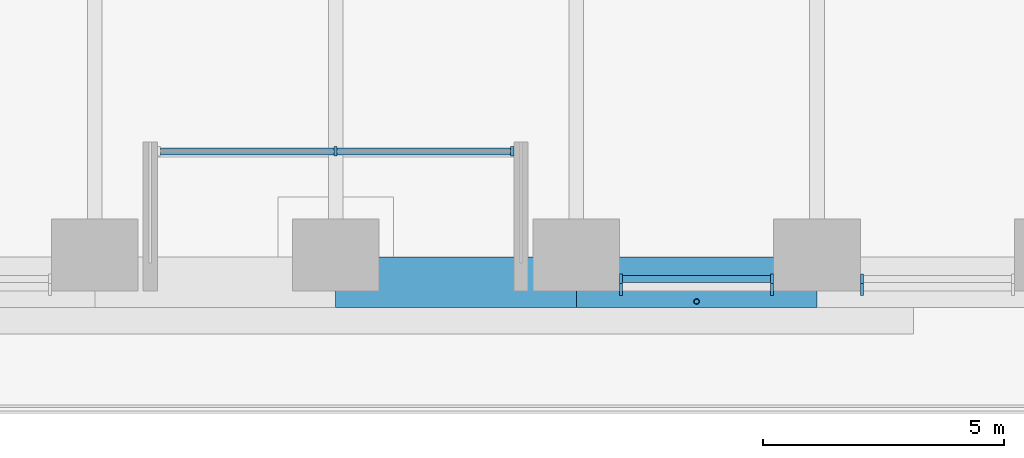
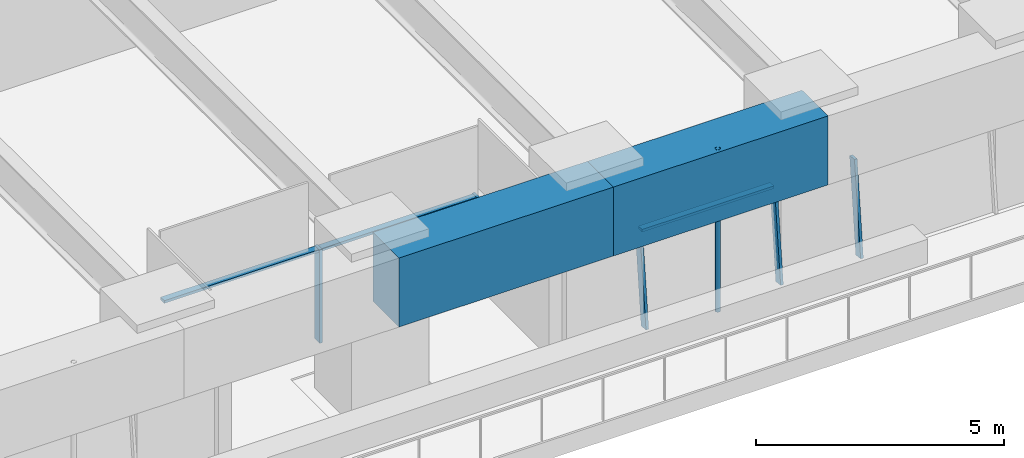
# One storey, part 4 of 24: 8 members, 2 beams, 3 elements without a shape of their own.
"""IFC4 building model written with IfcOpenShell, lengths in metres."""

import ifcopenshell
import ifcopenshell.guid

model = None  # the IFC model being written
_history = None  # IfcOwnerHistory: only IFC2X3 demands one
_inside = {}  # id of a spatial element -> (the spatial element, [elements in it])
_under = {}  # id of a project, library or spatial element -> (it, [spatial elements below it])
_declared = {}  # id of a project -> (the project, [libraries it declares])
_typed = {}  # id of a type object -> (the type object, [elements of that type])
_made_of = {}  # id of a material, layer set ... -> (it, [elements and type objects made of it])


def new_model(schema):
    """Start an empty IFC model of exactly this schema.

    Asked for "IFC4X3", IfcOpenShell would pick the latest addendum, in which some entities
    have other attributes; the version numbers below select the first issue.
    IFC2X3 requires an IfcOwnerHistory on every rooted entity: one is made here for all.
    """
    global model, _history
    if schema == "IFC4X3":
        model = ifcopenshell.file(schema_version=(4, 3, 0, 0))
    else:
        model = ifcopenshell.file(schema=schema)
    _inside.clear()
    _under.clear()
    _declared.clear()
    _typed.clear()
    _made_of.clear()
    _history = None
    if model.schema == "IFC2X3":
        org = make("IfcOrganization", Name="unknown")
        user = make(
            "IfcPersonAndOrganization",
            ThePerson=make("IfcPerson", FamilyName="unknown"),
            TheOrganization=org,
        )
        app = make(
            "IfcApplication",
            ApplicationDeveloper=org,
            Version="unknown",
            ApplicationFullName="unknown",
            ApplicationIdentifier="unknown",
        )
        _history = make(
            "IfcOwnerHistory",
            OwningUser=user,
            OwningApplication=app,
            ChangeAction="ADDED",
            CreationDate=0,
        )
    return model


def make(cls, **values):
    """One entity of the class cls with the attributes given. An attribute that is None is left unset."""
    return model.create_entity(
        cls, **{name: value for name, value in values.items() if value is not None}
    )


def rooted(cls, **values):
    """An entity with a GlobalId (a new one), such as an element, a storey or a relation."""
    return make(cls, GlobalId=ifcopenshell.guid.new(), OwnerHistory=_history, **values)


def si_unit(unit_type, name, prefix=None):
    """IfcSIUnit, for example si_unit("LENGTHUNIT", "METRE", prefix="MILLI")."""
    return make("IfcSIUnit", UnitType=unit_type, Prefix=prefix, Name=name)


def assignment(units):
    """IfcUnitAssignment: the units of a project."""
    return None if units is None else make("IfcUnitAssignment", Units=units)


def point(xyz):
    """IfcCartesianPoint."""
    return None if xyz is None else make("IfcCartesianPoint", Coordinates=xyz)


def direction(xyz):
    """IfcDirection."""
    return None if xyz is None else make("IfcDirection", DirectionRatios=xyz)


def frame(location, z_axis=None, x_axis=None):
    """IfcAxis2Placement3D, a coordinate frame: its origin and axes. An axis left out is left unset."""
    return make(
        "IfcAxis2Placement3D",
        Location=point(location),
        Axis=direction(z_axis),
        RefDirection=direction(x_axis),
    )


def frame_2d(location, x_axis=None):
    """IfcAxis2Placement2D, a coordinate frame in the plane: its origin and x axis."""
    return make(
        "IfcAxis2Placement2D", Location=point(location), RefDirection=direction(x_axis)
    )


def origin():
    """The frame at (0, 0, 0) with its axes left unset."""
    return frame((0.0, 0.0, 0.0))


def origin_2d():
    """The frame at (0, 0) in the plane with its x axis left unset."""
    return frame_2d((0.0, 0.0))


def place(relative_to, where):
    """IfcLocalPlacement: puts the frame where relative to a parent placement (None: the world)."""
    return make(
        "IfcLocalPlacement", PlacementRelTo=relative_to, RelativePlacement=where
    )


def context(
    kind, dimensions, precision=None, world=None, true_north=None, identifier=None
):
    """IfcGeometricRepresentationContext, for example the 3D "Model" context."""
    return make(
        "IfcGeometricRepresentationContext",
        ContextIdentifier=identifier,
        ContextType=kind,
        CoordinateSpaceDimension=dimensions,
        Precision=precision,
        WorldCoordinateSystem=world,
        TrueNorth=true_north,
    )


def subcontext(parent, identifier, kind, view, scale=None):
    """IfcGeometricRepresentationSubContext, for example "Body" below "Model"."""
    return make(
        "IfcGeometricRepresentationSubContext",
        ContextIdentifier=identifier,
        ContextType=kind,
        ParentContext=parent,
        TargetScale=scale,
        TargetView=view,
    )


def project(units=None, contexts=None):
    """IfcProject with its units and contexts."""
    return rooted(
        "IfcProject",
        Name="project",
        RepresentationContexts=contexts,
        UnitsInContext=assignment(units),
    )


def spatial(cls, under=None, at=None, **own):
    """A site, building, storey or space (cls), placed at a placement, below another one or the project."""
    s = rooted(cls, ObjectPlacement=at, **own)
    if under is not None:
        _under.setdefault(under.id(), (under, []))[1].append(s)
    return s


def profile(cls, at=None, kind="AREA", **sizes):
    """A parametric profile (cls). Its sizes go by their IFC names, for example OverallWidth=200.0."""
    return make(cls, ProfileType=kind, Position=at, **sizes)


def rectangle(**sizes):
    """IfcRectangleProfileDef."""
    return profile("IfcRectangleProfileDef", **sizes)


def hollow_circle(**sizes):
    """IfcCircleHollowProfileDef."""
    return profile("IfcCircleHollowProfileDef", **sizes)


def extrude(swept, where, along, depth):
    """IfcExtrudedAreaSolid: the profile swept, set in the frame where, extruded along a direction by depth."""
    return make(
        "IfcExtrudedAreaSolid",
        SweptArea=swept,
        Position=where,
        ExtrudedDirection=direction(along),
        Depth=depth,
    )


def shape(context_of_items, identifier, shape_type, items):
    """IfcShapeRepresentation: the items that make up one representation, for example the "Body"."""
    return make(
        "IfcShapeRepresentation",
        ContextOfItems=context_of_items,
        RepresentationIdentifier=identifier,
        RepresentationType=shape_type,
        Items=items,
    )


def material(Name=None, Category=None):
    """IfcMaterial."""
    return make("IfcMaterial", Name=Name, Category=Category)


def material_profile(
    of_material, cross_section, Name=None, Category=None, Priority=None
):
    """IfcMaterialProfile: a cross section and its material."""
    return make(
        "IfcMaterialProfile",
        Name=Name,
        Material=of_material,
        Profile=cross_section,
        Priority=Priority,
        Category=Category,
    )


def profile_set(profiles, Name=None, composite=None):
    """IfcMaterialProfileSet."""
    return make(
        "IfcMaterialProfileSet",
        Name=Name,
        MaterialProfiles=profiles,
        CompositeProfile=composite,
    )


def made_of(thing, what):
    """Note that an element or type object is made of a material, layer set ...; save() writes the relation."""
    if what is not None:
        _made_of.setdefault(what.id(), (what, []))[1].append(thing)
    return thing


def type_object(cls, material=None, **own):
    """A type object (cls), such as IfcWallType, which elements share."""
    return made_of(rooted(cls, **own), material)


def element(
    cls,
    number,
    at=None,
    inside=None,
    cuts=None,
    type_object=None,
    material=None,
    context=None,
    identifier="Body",
    shape_type=None,
    held_by="IfcProductDefinitionShape",
    body=None,
    shapes=None,
    **own,
):
    """One element of the class cls, such as IfcWall. Its Tag is "e" and its number.

    at: its placement. inside: the storey or other place that contains it. cuts: it is an
    opening in that element (IfcRelVoidsElement). A single representation is given by context,
    identifier, shape_type and body (its items); several are given by shapes. held_by: the class
    of the entity that holds the representations. save() writes the other relations.
    """
    e = rooted(cls, Tag="e%d" % number, ObjectPlacement=at, **own)
    if body is not None:
        shapes = [shape(context, identifier, shape_type, body)]
    if shapes is not None:
        e.Representation = make(held_by, Representations=shapes)
    if inside is not None:
        _inside.setdefault(inside.id(), (inside, []))[1].append(e)
    if cuts is not None:
        rooted(
            "IfcRelVoidsElement", RelatingBuildingElement=cuts, RelatedOpeningElement=e
        )
    if type_object is not None:
        _typed.setdefault(type_object.id(), (type_object, []))[1].append(e)
    return made_of(e, material)


def aggregate(whole, parts):
    """IfcRelAggregates: a whole, such as a stair, and the parts it consists of."""
    return rooted("IfcRelAggregates", RelatingObject=whole, RelatedObjects=parts)


def save(model, path):
    """Write the relations noted so far, then the file.

    IfcRelAggregates (storeys below a building ...), IfcRelContainedInSpatialStructure (elements
    in a storey), IfcRelDefinesByType, IfcRelAssociatesMaterial and IfcRelDeclares: one each for
    every whole, place, type object, material and project.
    """
    for whole, parts in _under.values():
        aggregate(whole, parts)
    for where, things in _inside.values():
        rooted(
            "IfcRelContainedInSpatialStructure",
            RelatedElements=things,
            RelatingStructure=where,
        )
    for kind, things in _typed.values():
        rooted("IfcRelDefinesByType", RelatedObjects=things, RelatingType=kind)
    for what, things in _made_of.values():
        rooted("IfcRelAssociatesMaterial", RelatedObjects=things, RelatingMaterial=what)
    for by, libraries in _declared.values():
        rooted("IfcRelDeclares", RelatingContext=by, RelatedDefinitions=libraries)
    model.write(path)


model = new_model("IFC4")

# Units and contexts
model_context = context("Model", 3, precision=1e-05, world=origin(), true_north=direction((0.0, 1.0)))
body_context = subcontext(model_context, "Body", "Model", "MODEL_VIEW")
ifc_project = project(units=[si_unit("LENGTHUNIT", "METRE"), si_unit("AREAUNIT", "SQUARE_METRE"), si_unit("VOLUMEUNIT", "CUBIC_METRE"), si_unit("PLANEANGLEUNIT", "RADIAN"), si_unit("MASSUNIT", "GRAM", prefix="KILO")], contexts=[model_context])

# Site, building, storey
site_placement = place(None, origin())
site = spatial("IfcSite", under=ifc_project, at=site_placement, CompositionType="ELEMENT")
building_placement = place(site_placement, origin())
building = spatial("IfcBuilding", under=site, at=building_placement, Name="Tarfa Lantern Tower", CompositionType="ELEMENT")
storey_placement = place(building_placement, frame((0.0, 0.0, 127.89990234375)))
storey = spatial("IfcBuildingStorey", under=building, at=storey_placement, Name="L28", CompositionType="ELEMENT", Elevation=127.89990234375)

# Curtain wall, members
ifc_material_1 = material(Name="Aluminium framed curtain wall", Category="aluminium")
curtain_wall_type_1 = type_object("IfcCurtainWallType", Name="CW2 CANTED GLAZING MID ZONE 2300", PredefinedType="USERDEFINED", material=ifc_material_1)
curtain_wall_1_placement = place(storey_placement, origin())
curtain_wall_1 = element("IfcCurtainWall", 1, at=curtain_wall_1_placement, inside=storey, type_object=curtain_wall_type_1, Name="CW2 SB L28", ObjectType="CURTAIN WALL", PredefinedType="USERDEFINED")
ifc_material_2 = material(Name="Aluminium mullion", Category="aluminium")
ifc_material_profile_1 = material_profile(ifc_material_2, rectangle(XDim=0.06494140625, YDim=0.199951171875, at=origin_2d()), Name="AL MULLION 65x200")
ifc_profile_set_1 = profile_set([ifc_material_profile_1], Name="Aluminium mullion")
member_type_1 = type_object("IfcMemberType", Name="CWM1 MULLION 65x200", PredefinedType="MULLION", material=ifc_profile_set_1)
member_1_placement = place(storey_placement, frame((5.936279296875, -31.39990234375, 0.0), z_axis=(0.0, 0.108056913548, 0.994144709504), x_axis=(-1.0, 0.0, 0.0)))
member_1 = element("IfcMember", 2, at=member_1_placement, type_object=member_type_1, Name="CW2 mullion 1", PredefinedType="MULLION", context=body_context, shape_type="SweptSolid", body=[
    extrude(rectangle(XDim=0.06494140625, YDim=0.199951171875, at=origin_2d()), origin(), (0.0, 0.0, 1.0), 2.3134765625),
])
member_2_placement = place(storey_placement, frame((9.074951171875, -31.39990234375, 0.0), z_axis=(0.0, 0.108056913548, 0.994144709504), x_axis=(-1.0, 0.0, 0.0)))
member_2 = element("IfcMember", 3, at=member_2_placement, type_object=member_type_1, Name="CW2 mullion 2", PredefinedType="MULLION", context=body_context, shape_type="SweptSolid", body=[
    extrude(rectangle(XDim=0.06494140625, YDim=0.199951171875, at=origin_2d()), origin(), (0.0, 0.0, 1.0), 2.3134765625),
])

# Curtain wall, member
curtain_wall_2_placement = place(storey_placement, origin())
curtain_wall_2 = element("IfcCurtainWall", 4, at=curtain_wall_2_placement, inside=storey, type_object=curtain_wall_type_1, Name="CW2 SB L28", ObjectType="CURTAIN WALL", PredefinedType="USERDEFINED")
member_3_placement = place(storey_placement, frame((10.93994140625, -31.39990234375, 0.0), z_axis=(0.0, 0.108056913548, 0.994144709504), x_axis=(-1.0, 0.0, 0.0)))
member_3 = element("IfcMember", 5, at=member_3_placement, type_object=member_type_1, Name="CW2 mullion 1", PredefinedType="MULLION", context=body_context, shape_type="SweptSolid", body=[
    extrude(rectangle(XDim=0.06494140625, YDim=0.199951171875, at=origin_2d()), origin(), (0.0, 0.0, 1.0), 2.3134765625),
])
aggregate(curtain_wall_2, [member_3])

# Curtain wall, members
curtain_wall_type_2 = type_object("IfcCurtainWallType", Name="CW10 LOGGIA GLAZING 2300", PredefinedType="USERDEFINED", material=ifc_material_1)
curtain_wall_3_placement = place(storey_placement, origin())
curtain_wall_3 = element("IfcCurtainWall", 6, at=curtain_wall_3_placement, inside=storey, type_object=curtain_wall_type_2, Name="CW10 SL L28", ObjectType="CURTAIN WALL", PredefinedType="USERDEFINED")
member_4_placement = place(storey_placement, frame((0.0, -28.5, 0.0), z_axis=(0.0, 0.0, 1.0), x_axis=(1.0, 0.0, 0.0)))
member_4 = element("IfcMember", 7, at=member_4_placement, type_object=member_type_1, Name="CW10 mullion 2", PredefinedType="MULLION", context=body_context, shape_type="SweptSolid", body=[
    extrude(rectangle(XDim=0.06494140625, YDim=0.199951171875, at=origin_2d()), origin(), (0.0, 0.0, 1.0), 2.300048828125),
])
member_5_placement = place(storey_placement, frame((3.671142578125, -28.5, 0.0), z_axis=(0.0, 0.0, 1.0), x_axis=(1.0, 0.0, 0.0)))
member_5 = element("IfcMember", 8, at=member_5_placement, type_object=member_type_1, Name="CW10 mullion 3", PredefinedType="MULLION", context=body_context, shape_type="SweptSolid", body=[
    extrude(rectangle(XDim=0.06494140625, YDim=0.199951171875, at=origin_2d()), origin(), (0.0, 0.0, 1.0), 2.300048828125),
])

# Member
ifc_material_3 = material(Name="Aluminium transom", Category="aluminium")
ifc_material_profile_2 = material_profile(ifc_material_3, rectangle(XDim=0.14990234375, YDim=0.06494140625, at=origin_2d()), Name="AL TRANSOM 150x65")
ifc_profile_set_2 = profile_set([ifc_material_profile_2], Name="Aluminium transom")
member_type_2 = type_object("IfcMemberType", Name="CWT1 TRANSOM 150x65", PredefinedType="USERDEFINED", material=ifc_profile_set_2)
member_6_placement = place(storey_placement, frame((5.96875, -31.153564453125, 2.267578125), z_axis=(1.0, 0.0, 0.0), x_axis=(0.0, 1.0, 0.0)))
member_6 = element("IfcMember", 9, at=member_6_placement, type_object=member_type_2, Name="CW2 transom 1.2", ObjectType="TRANSOM", PredefinedType="USERDEFINED", context=body_context, shape_type="SweptSolid", body=[
    extrude(rectangle(XDim=0.14990234375, YDim=0.06494140625, at=origin_2d()), origin(), (0.0, 0.0, 1.0), 3.07373046875),
])

aggregate(curtain_wall_1, [member_1, member_2, member_6])

member_7_placement = place(storey_placement, frame((-3.638671875, -28.5, 2.267578125), z_axis=(1.0, 0.0, 0.0), x_axis=(0.0, 1.0, 0.0)))
member_7 = element("IfcMember", 10, at=member_7_placement, type_object=member_type_2, Name="CW10 transom 1.2", ObjectType="TRANSOM", PredefinedType="USERDEFINED", context=body_context, shape_type="SweptSolid", body=[
    extrude(rectangle(XDim=0.14990234375, YDim=0.06494140625, at=origin_2d()), origin(), (0.0, 0.0, 1.0), 7.27734375),
])

aggregate(curtain_wall_3, [member_4, member_5, member_7])

# Beams
ifc_material_4 = material(Name="Concrete C80/95", Category="concrete")
ifc_material_profile_3 = material_profile(ifc_material_4, rectangle(XDim=1.050048828125, YDim=1.699951171875, at=origin_2d()), Name="RC 1050x1700")
ifc_profile_set_3 = profile_set([ifc_material_profile_3], Name="Concrete C80/95")
beam_type = type_object("IfcBeamType", Name="RB2 RC 1050x1700", PredefinedType="BEAM", material=ifc_profile_set_3)
for number, where, z_axis, x_axis, name in (
    (11, (0.0, -31.219970703125, 3.150146484375), (1.0, 0.0, 0.0), (0.0, 1.0, 0.0), "Edge beam S3"),
    (12, (5.003662109375, -31.219970703125, 3.150146484375), (1.0, 0.0, 0.0), (0.0, 1.0, 0.0), "Edge beam S4"),
):
    element("IfcBeam", number, at=place(storey_placement, frame(where, z_axis=z_axis, x_axis=x_axis)), inside=storey, type_object=beam_type, Name=name, PredefinedType="BEAM", context=body_context, shape_type="SweptSolid", body=[
        extrude(rectangle(XDim=1.050048828125, YDim=1.699951171875, at=origin_2d()), origin(), (0.0, 0.0, 1.0), 5.003662109375),
    ])

# Member
ifc_material_5 = material(Name="Steel S355", Category="steel")
ifc_material_profile_4 = material_profile(ifc_material_5, hollow_circle(Radius=0.05712890625, WallThickness=0.00634765625, at=origin_2d()), Name="CHS114.3x6.3")
ifc_profile_set_4 = profile_set([ifc_material_profile_4], Name="Steel S355")
member_type_3 = type_object("IfcMemberType", Name="TR1 GREEN WALL TRELLIS CHS114.3x6.3", PredefinedType="USERDEFINED", material=ifc_profile_set_4)
member_8_placement = place(storey_placement, frame((7.505615234375, -31.6201171875, 0.0), z_axis=(0.0, 0.0, 1.0), x_axis=(1.0, 0.0, 0.0)))
element("IfcMember", 13, at=member_8_placement, inside=storey, type_object=member_type_3, Name="Trellis post S 2", ObjectType="TRELLIS", PredefinedType="USERDEFINED", context=body_context, shape_type="SweptSolid", body=[
    extrude(hollow_circle(Radius=0.05712890625, WallThickness=0.00634765625, at=origin_2d()), origin(), (0.0, 0.0, 1.0), 4.0),
])

save(model, "model.ifc")
